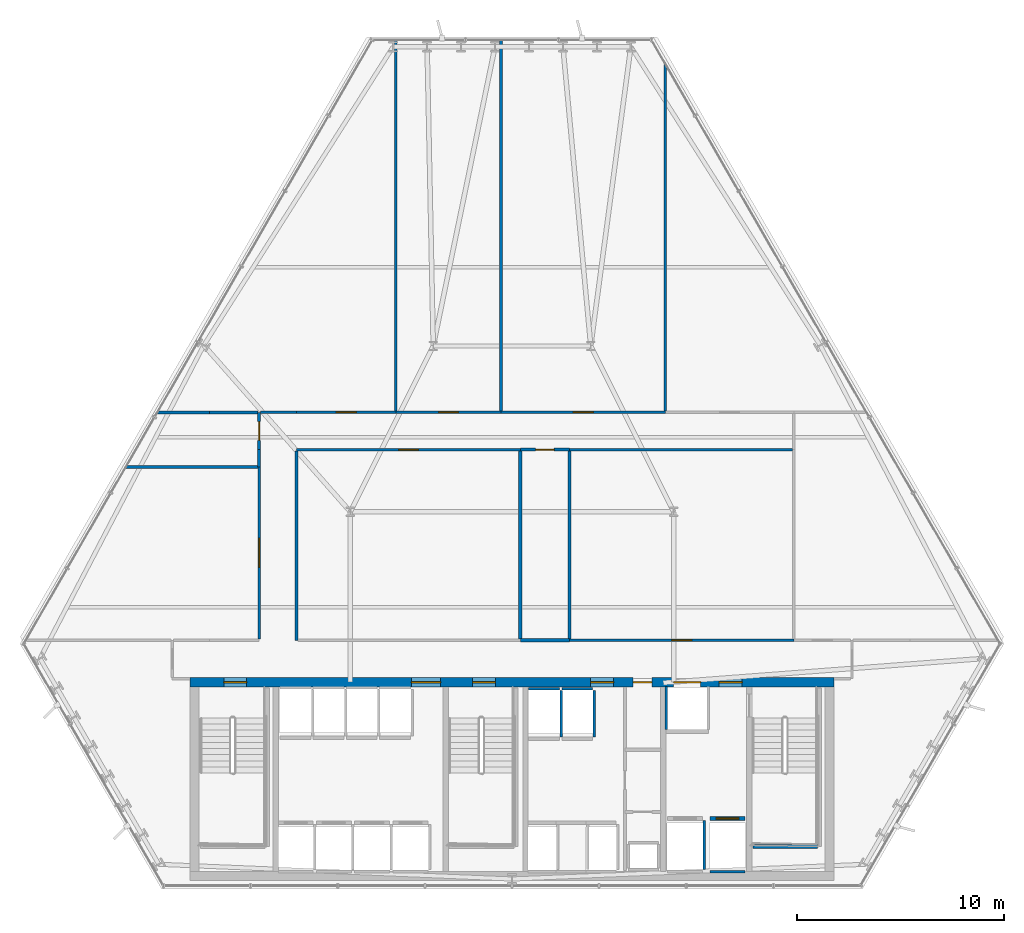
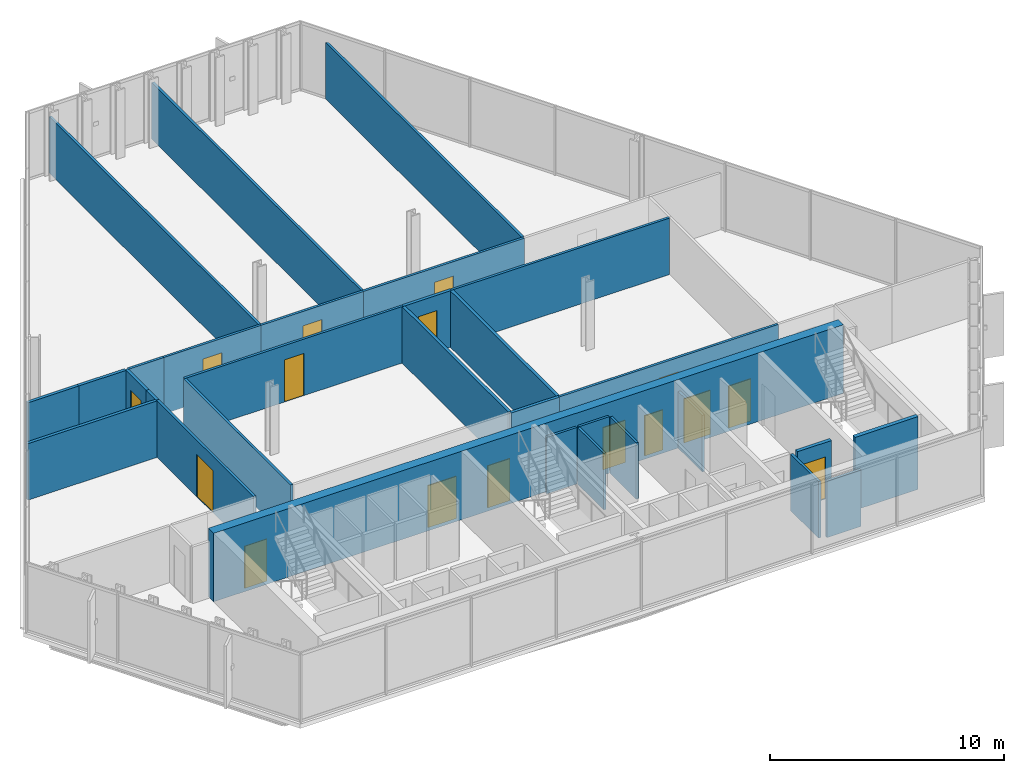
# One storey, part 26 of 31: 31 walls, 16 doors, 16 openings.
"""IFC4 building model written with IfcOpenShell, lengths in metres."""

from ifc_helpers import new_model, si_unit, direction, frame, frame_2d, origin, place, context, subcontext, project, spatial, rectangle, extrude, material, layer, layer_set, type_object, element, fill, save


model = new_model("IFC4")

# Units and contexts
model_context = context("Model", 3, precision=1e-05, world=origin(), true_north=direction((0.0, 1.0)))
body_context = subcontext(model_context, "Body", "Model", "MODEL_VIEW")
ifc_project = project(units=[si_unit("LENGTHUNIT", "METRE"), si_unit("AREAUNIT", "SQUARE_METRE"), si_unit("VOLUMEUNIT", "CUBIC_METRE"), si_unit("PLANEANGLEUNIT", "RADIAN"), si_unit("MASSUNIT", "GRAM", prefix="KILO")], contexts=[model_context])

# Site, building, storey
site_placement = place(None, origin())
site = spatial("IfcSite", under=ifc_project, at=site_placement, CompositionType="ELEMENT")
building_placement = place(site_placement, origin())
building = spatial("IfcBuilding", under=site, at=building_placement, Name="Ndaravel Arena Tower", CompositionType="ELEMENT")
storey_placement = place(building_placement, frame((0.0, 0.0, 100.60009765625)))
storey = spatial("IfcBuildingStorey", under=building, at=storey_placement, Name="L23", CompositionType="ELEMENT", Elevation=100.60009765625)

# Wall, openings, doors
ifc_material_1 = material(Name="Concrete C60/75", Category="concrete")
ifc_layer_1 = layer(ifc_material_1, 0.449951171875)
ifc_layer_set_1 = layer_set([ifc_layer_1], Name="Concrete C60/75")
wall_type_1 = type_object("IfcWallType", Name="WALL-CORE-450", PredefinedType="SOLIDWALL", material=ifc_layer_set_1)
wall_1_placement = place(storey_placement, frame((26.449951171875, 14.97509765625, 0.0), z_axis=(0.0, 0.0, 1.0), x_axis=(1.0, 0.0, 0.0)))
wall_1 = element("IfcWall", 1, at=wall_1_placement, inside=storey, type_object=wall_type_1, Name="L23 Core North Shear Wall", PredefinedType="SOLIDWALL", context=body_context, shape_type="SweptSolid", body=[
    extrude(rectangle(XDim=31.10009765625, YDim=0.449951171875, at=frame_2d((15.550048828125, 0.0))), origin(), (0.0, 0.0, 1.0), 3.579833984375),
])
opening_1_placement = place(wall_1_placement, frame((1.64990234375, 0.0, 0.0)))
opening_1 = element("IfcOpeningElement", 2, at=opening_1_placement, cuts=wall_1, Name="Opening FD-01", PredefinedType="OPENING", context=body_context, shape_type="SweptSolid", body=[
    extrude(rectangle(XDim=1.10009765625, YDim=2.199951171875, at=frame_2d((0.550048828125, 1.10009765625))), frame((0.0, 0.22509765625, 0.0), z_axis=(0.0, -1.0, 0.0), x_axis=(1.0, 0.0, 0.0)), (0.0, 0.0, 1.0), 0.449951171875),
])
opening_2_placement = place(wall_1_placement, frame((13.64990234375, 0.0, 0.0)))
opening_2 = element("IfcOpeningElement", 3, at=opening_2_placement, cuts=wall_1, Name="Opening FD-01", PredefinedType="OPENING", context=body_context, shape_type="SweptSolid", body=[
    extrude(rectangle(XDim=1.10009765625, YDim=2.199951171875, at=frame_2d((0.550048828125, 1.10009765625))), frame((0.0, 0.22509765625, 0.0), z_axis=(0.0, -1.0, 0.0), x_axis=(1.0, 0.0, 0.0)), (0.0, 0.0, 1.0), 0.449951171875),
])
opening_3_placement = place(wall_1_placement, frame((25.550048828125, 0.0, 0.0)))
opening_3 = element("IfcOpeningElement", 4, at=opening_3_placement, cuts=wall_1, Name="Opening FD-01", PredefinedType="OPENING", context=body_context, shape_type="SweptSolid", body=[
    extrude(rectangle(XDim=1.10009765625, YDim=2.199951171875, at=frame_2d((0.550048828125, 1.10009765625))), frame((0.0, 0.22509765625, 0.0), z_axis=(0.0, -1.0, 0.0), x_axis=(1.0, 0.0, 0.0)), (0.0, 0.0, 1.0), 0.449951171875),
])
opening_4_placement = place(wall_1_placement, frame((10.699951171875, 0.0, 0.0)))
opening_4 = element("IfcOpeningElement", 5, at=opening_4_placement, cuts=wall_1, Name="Opening ID-02", PredefinedType="OPENING", context=body_context, shape_type="SweptSolid", body=[
    extrude(rectangle(XDim=1.39990234375, YDim=2.199951171875, at=frame_2d((0.699951171875, 1.10009765625))), frame((0.0, 0.22509765625, 0.0), z_axis=(0.0, -1.0, 0.0), x_axis=(1.0, 0.0, 0.0)), (0.0, 0.0, 1.0), 0.449951171875),
])
opening_5_placement = place(wall_1_placement, frame((19.35009765625, 0.0, 0.0)))
opening_5 = element("IfcOpeningElement", 6, at=opening_5_placement, cuts=wall_1, Name="Opening FD-01", PredefinedType="OPENING", context=body_context, shape_type="SweptSolid", body=[
    extrude(rectangle(XDim=1.10009765625, YDim=2.199951171875, at=frame_2d((0.550048828125, 1.10009765625))), frame((0.0, 0.22509765625, 0.0), z_axis=(0.0, -1.0, 0.0), x_axis=(1.0, 0.0, 0.0)), (0.0, 0.0, 1.0), 0.449951171875),
])
opening_6_placement = place(wall_1_placement, frame((21.39990234375, 0.0, 0.0)))
opening_6 = element("IfcOpeningElement", 7, at=opening_6_placement, cuts=wall_1, Name="Opening RD-01", PredefinedType="OPENING", context=body_context, shape_type="SweptSolid", body=[
    extrude(rectangle(XDim=0.89990234375, YDim=2.10009765625, at=frame_2d((0.449951171875, 1.050048828125))), frame((0.0, 0.22509765625, 0.0), z_axis=(0.0, -1.0, 0.0), x_axis=(1.0, 0.0, 0.0)), (0.0, 0.0, 1.0), 0.449951171875),
])
opening_7_placement = place(wall_1_placement, frame((23.35009765625, 0.0, 0.0)))
opening_7 = element("IfcOpeningElement", 8, at=opening_7_placement, cuts=wall_1, Name="Opening LD-02", PredefinedType="OPENING", context=body_context, shape_type="SweptSolid", body=[
    extrude(rectangle(XDim=1.300048828125, YDim=2.300048828125, at=frame_2d((0.64990234375, 1.14990234375))), frame((0.0, 0.22509765625, 0.0), z_axis=(0.0, -1.0, 0.0), x_axis=(1.0, 0.0, 0.0)), (0.0, 0.0, 1.0), 0.449951171875),
])
ifc_material_2 = material(Name="Steel S355", Category="steel")
door_type_1 = type_object("IfcDoorType", Name="DT-01-STAIR-1100", OperationType="SINGLE_SWING_LEFT", PredefinedType="DOOR", material=ifc_material_2)
door_1_placement = place(opening_1_placement, origin())
door_1 = element("IfcDoor", 9, at=door_1_placement, inside=storey, type_object=door_type_1, Name="L23 Exit Stair ST-1 Door", OperationType="SINGLE_SWING_RIGHT", OverallHeight=2.199951171875, OverallWidth=1.10009765625, PredefinedType="DOOR", context=body_context, shape_type="SweptSolid", body=[
    extrude(rectangle(XDim=1.10009765625, YDim=2.199951171875, at=frame_2d((0.550048828125, 1.10009765625))), frame((0.0, 0.02490234375, 0.0), z_axis=(0.0, -1.0, 0.0), x_axis=(1.0, 0.0, 0.0)), (0.0, 0.0, 1.0), 0.050048828125),
])
fill(opening_1, door_1)
door_2_placement = place(opening_2_placement, origin())
door_2 = element("IfcDoor", 10, at=door_2_placement, inside=storey, type_object=door_type_1, Name="L23 Exit Stair ST-2 Door", OperationType="SINGLE_SWING_LEFT", OverallHeight=2.199951171875, OverallWidth=1.10009765625, PredefinedType="DOOR", context=body_context, shape_type="SweptSolid", body=[
    extrude(rectangle(XDim=1.10009765625, YDim=2.199951171875, at=frame_2d((0.550048828125, 1.10009765625))), frame((0.0, 0.02490234375, 0.0), z_axis=(0.0, -1.0, 0.0), x_axis=(1.0, 0.0, 0.0)), (0.0, 0.0, 1.0), 0.050048828125),
])
fill(opening_2, door_2)
door_3_placement = place(opening_3_placement, origin())
door_3 = element("IfcDoor", 11, at=door_3_placement, inside=storey, type_object=door_type_1, Name="L23 Firefighting Lift Lobby Door", OperationType="SINGLE_SWING_RIGHT", OverallHeight=2.199951171875, OverallWidth=1.10009765625, PredefinedType="DOOR", context=body_context, shape_type="SweptSolid", body=[
    extrude(rectangle(XDim=1.10009765625, YDim=2.199951171875, at=frame_2d((0.550048828125, 1.10009765625))), frame((0.0, 0.02490234375, 0.0), z_axis=(0.0, -1.0, 0.0), x_axis=(1.0, 0.0, 0.0)), (0.0, 0.0, 1.0), 0.050048828125),
])
fill(opening_3, door_3)
door_4_placement = place(opening_5_placement, origin())
door_4 = element("IfcDoor", 12, at=door_4_placement, inside=storey, type_object=door_type_1, Name="L23 Express Lift Lobby Entry Door", OperationType="SINGLE_SWING_LEFT", OverallHeight=2.199951171875, OverallWidth=1.10009765625, PredefinedType="DOOR", context=body_context, shape_type="SweptSolid", body=[
    extrude(rectangle(XDim=1.10009765625, YDim=2.199951171875, at=frame_2d((0.550048828125, 1.10009765625))), frame((0.0, 0.02490234375, 0.0), z_axis=(0.0, -1.0, 0.0), x_axis=(1.0, 0.0, 0.0)), (0.0, 0.0, 1.0), 0.050048828125),
])
fill(opening_5, door_4)
ifc_material_3 = material(Name="Timber", Category="wood")
door_type_2 = type_object("IfcDoorType", Name="DT-04-SUITE-1400", OperationType="DOUBLE_DOOR_SINGLE_SWING", PredefinedType="DOOR", material=ifc_material_3)
door_5_placement = place(opening_4_placement, origin())
door_5 = element("IfcDoor", 13, at=door_5_placement, inside=storey, type_object=door_type_2, Name="L23 West Lift Lobby Entry Door", OperationType="DOUBLE_DOOR_SINGLE_SWING", OverallHeight=2.199951171875, OverallWidth=1.39990234375, PredefinedType="DOOR", context=body_context, shape_type="SweptSolid", body=[
    extrude(rectangle(XDim=1.39990234375, YDim=2.199951171875, at=frame_2d((0.699951171875, 1.10009765625))), frame((0.0, 0.02490234375, 0.0), z_axis=(0.0, -1.0, 0.0), x_axis=(1.0, 0.0, 0.0)), (0.0, 0.0, 1.0), 0.050048828125),
])
fill(opening_4, door_5)
ifc_material_4 = material(Name="Steel S355", Category="steel")
door_type_3 = type_object("IfcDoorType", Name="DT-07-SVLIFT-1300", OperationType="DOUBLE_DOOR_SLIDING", PredefinedType="DOOR", material=ifc_material_4)
door_6_placement = place(opening_7_placement, origin())
door_6 = element("IfcDoor", 14, at=door_6_placement, inside=storey, type_object=door_type_3, Name="L23 Lift SVL-1 Sliding Landing Door", OperationType="DOUBLE_DOOR_SLIDING", OverallHeight=2.300048828125, OverallWidth=1.300048828125, PredefinedType="DOOR", context=body_context, shape_type="SweptSolid", body=[
    extrude(rectangle(XDim=1.300048828125, YDim=2.300048828125, at=frame_2d((0.64990234375, 1.14990234375))), frame((0.0, 0.02490234375, 0.0), z_axis=(0.0, -1.0, 0.0), x_axis=(1.0, 0.0, 0.0)), (0.0, 0.0, 1.0), 0.050048828125),
])
fill(opening_7, door_6)
ifc_material_5 = material(Name="Steel S355", Category="steel")
door_type_4 = type_object("IfcDoorType", Name="DT-08-RISER-900", OperationType="SINGLE_SWING_LEFT", PredefinedType="DOOR", material=ifc_material_5)
door_7_placement = place(opening_6_placement, origin())
door_7 = element("IfcDoor", 15, at=door_7_placement, inside=storey, type_object=door_type_4, Name="L23 Core Service Riser North Door", OperationType="SINGLE_SWING_LEFT", OverallHeight=2.10009765625, OverallWidth=0.89990234375, PredefinedType="DOOR", context=body_context, shape_type="SweptSolid", body=[
    extrude(rectangle(XDim=0.89990234375, YDim=2.10009765625, at=frame_2d((0.449951171875, 1.050048828125))), frame((0.0, 0.02490234375, 0.0), z_axis=(0.0, -1.0, 0.0), x_axis=(1.0, 0.0, 0.0)), (0.0, 0.0, 1.0), 0.050048828125),
])
fill(opening_6, door_7)

# Wall, opening, door
ifc_material_6 = material(Name="Gypsum", Category="gypsum")
ifc_layer_2 = layer(ifc_material_6, 0.125)
ifc_layer_set_2 = layer_set([ifc_layer_2], Name="Gypsum")
wall_type_2 = type_object("IfcWallType", Name="WALL-PART-125", PredefinedType="PARTITIONING", material=ifc_layer_set_2)
wall_2_placement = place(storey_placement, frame((29.800048828125, 17.06494140625, 0.0), z_axis=(0.0, 0.0, 1.0), x_axis=(0.0, 1.0, 0.0)))
wall_2 = element("IfcWall", 16, at=wall_2_placement, inside=storey, type_object=wall_type_2, Name="L23 Interior Partition 007", PredefinedType="PARTITIONING", context=body_context, shape_type="SweptSolid", body=[
    extrude(rectangle(XDim=8.295166015625, YDim=0.125, at=frame_2d((4.1474609375, 0.0))), origin(), (0.0, 0.0, 1.0), 2.949951171875),
])
opening_8_placement = place(wall_2_placement, frame((3.447509765625, 0.0, 0.0)))
opening_8 = element("IfcOpeningElement", 17, at=opening_8_placement, cuts=wall_2, Name="Opening ID-02", PredefinedType="OPENING", context=body_context, shape_type="SweptSolid", body=[
    extrude(rectangle(XDim=1.39990234375, YDim=2.199951171875, at=frame_2d((0.699951171875, 1.10009765625))), frame((0.0, 0.0625, 0.0), z_axis=(0.0, -1.0, 0.0), x_axis=(1.0, 0.0, 0.0)), (0.0, 0.0, 1.0), 0.125),
])
door_8_placement = place(opening_8_placement, origin())
door_8 = element("IfcDoor", 18, at=door_8_placement, inside=storey, type_object=door_type_2, Name="L23 Executive Boardroom Door", OperationType="SINGLE_SWING_RIGHT", OverallHeight=2.199951171875, OverallWidth=1.39990234375, PredefinedType="DOOR", context=body_context, shape_type="SweptSolid", body=[
    extrude(rectangle(XDim=1.39990234375, YDim=2.199951171875, at=frame_2d((0.699951171875, 1.10009765625))), frame((0.0, 0.02490234375, 0.0), z_axis=(0.0, -1.0, 0.0), x_axis=(1.0, 0.0, 0.0)), (0.0, 0.0, 1.0), 0.050048828125),
])
fill(opening_8, door_8)

# Wall
wall_3_placement = place(storey_placement, frame((29.864990234375, 28.0, 0.0), z_axis=(0.0, 0.0, 1.0), x_axis=(1.0, 0.0, 0.0)))
element("IfcWall", 19, at=wall_3_placement, inside=storey, type_object=wall_type_2, Name="L23 Interior Partition 010", PredefinedType="PARTITIONING", context=body_context, shape_type="SweptSolid", body=[
    extrude(rectangle(XDim=1.735107421875, YDim=0.125, at=frame_2d((0.86767578125, 0.0))), origin(), (0.0, 0.0, 1.0), 2.949951171875),
])

# Wall, opening, door
wall_4_placement = place(storey_placement, frame((31.60009765625, 28.0, 0.0), z_axis=(0.0, 0.0, 1.0), x_axis=(1.0, 0.0, 0.0)))
wall_4 = element("IfcWall", 20, at=wall_4_placement, inside=storey, type_object=wall_type_2, Name="L23 Interior Partition 011", PredefinedType="PARTITIONING", context=body_context, shape_type="SweptSolid", body=[
    extrude(rectangle(XDim=4.7998046875, YDim=0.125, at=frame_2d((2.39990234375, 0.0))), origin(), (0.0, 0.0, 1.0), 2.949951171875),
])
opening_9_placement = place(wall_4_placement, frame((1.925048828125, 0.0, 0.0)))
opening_9 = element("IfcOpeningElement", 21, at=opening_9_placement, cuts=wall_4, Name="Opening ID-01", PredefinedType="OPENING", context=body_context, shape_type="SweptSolid", body=[
    extrude(rectangle(XDim=0.949951171875, YDim=2.199951171875, at=frame_2d((0.47509765625, 1.10009765625))), frame((0.0, 0.0625, 0.0), z_axis=(0.0, -1.0, 0.0), x_axis=(1.0, 0.0, 0.0)), (0.0, 0.0, 1.0), 0.125),
])
ifc_material_7 = material(Name="Timber", Category="wood")
door_type_5 = type_object("IfcDoorType", Name="DT-03-OFFICE-950", OperationType="SINGLE_SWING_LEFT", PredefinedType="DOOR", material=ifc_material_7)
door_9_placement = place(opening_9_placement, origin())
door_9 = element("IfcDoor", 22, at=door_9_placement, inside=storey, type_object=door_type_5, Name="L23 Innovation Showroom 3 Door", OperationType="SINGLE_SWING_LEFT", OverallHeight=2.199951171875, OverallWidth=0.949951171875, PredefinedType="DOOR", context=body_context, shape_type="SweptSolid", body=[
    extrude(rectangle(XDim=0.949951171875, YDim=2.199951171875, at=frame_2d((0.47509765625, 1.10009765625))), frame((0.0, 0.02490234375, 0.0), z_axis=(0.0, -1.0, 0.0), x_axis=(1.0, 0.0, 0.0)), (0.0, 0.0, 1.0), 0.050048828125),
])
fill(opening_9, door_9)

wall_5_placement = place(storey_placement, frame((36.39990234375, 28.0, 0.0), z_axis=(0.0, 0.0, 1.0), x_axis=(1.0, 0.0, 0.0)))
wall_5 = element("IfcWall", 23, at=wall_5_placement, inside=storey, type_object=wall_type_2, Name="L23 Interior Partition 012", PredefinedType="PARTITIONING", context=body_context, shape_type="SweptSolid", body=[
    extrude(rectangle(XDim=5.070068359375, YDim=0.125, at=frame_2d((2.53515625, 0.0))), origin(), (0.0, 0.0, 1.0), 2.949951171875),
])
opening_10_placement = place(wall_5_placement, frame((2.06005859375, 0.0, 0.0)))
opening_10 = element("IfcOpeningElement", 24, at=opening_10_placement, cuts=wall_5, Name="Opening ID-01", PredefinedType="OPENING", context=body_context, shape_type="SweptSolid", body=[
    extrude(rectangle(XDim=0.949951171875, YDim=2.199951171875, at=frame_2d((0.47509765625, 1.10009765625))), frame((0.0, 0.0625, 0.0), z_axis=(0.0, -1.0, 0.0), x_axis=(1.0, 0.0, 0.0)), (0.0, 0.0, 1.0), 0.125),
])
door_10_placement = place(opening_10_placement, origin())
door_10 = element("IfcDoor", 25, at=door_10_placement, inside=storey, type_object=door_type_5, Name="L23 Publication Shop 4 Door", OperationType="SINGLE_SWING_LEFT", OverallHeight=2.199951171875, OverallWidth=0.949951171875, PredefinedType="DOOR", context=body_context, shape_type="SweptSolid", body=[
    extrude(rectangle(XDim=0.949951171875, YDim=2.199951171875, at=frame_2d((0.47509765625, 1.10009765625))), frame((0.0, 0.02490234375, 0.0), z_axis=(0.0, -1.0, 0.0), x_axis=(1.0, 0.0, 0.0)), (0.0, 0.0, 1.0), 0.050048828125),
])
fill(opening_10, door_10)

wall_6_placement = place(storey_placement, frame((41.469970703125, 28.0, 0.0), z_axis=(0.0, 0.0, 1.0), x_axis=(1.0, 0.0, 0.0)))
wall_6 = element("IfcWall", 26, at=wall_6_placement, inside=storey, type_object=wall_type_2, Name="L23 Interior Partition 013", PredefinedType="PARTITIONING", context=body_context, shape_type="SweptSolid", body=[
    extrude(rectangle(XDim=7.929931640625, YDim=0.125, at=frame_2d((3.96484375, 0.0))), origin(), (0.0, 0.0, 1.0), 2.949951171875),
])
opening_11_placement = place(wall_6_placement, frame((3.489990234375, 0.0, 0.0)))
opening_11 = element("IfcOpeningElement", 27, at=opening_11_placement, cuts=wall_6, Name="Opening ID-01", PredefinedType="OPENING", context=body_context, shape_type="SweptSolid", body=[
    extrude(rectangle(XDim=0.949951171875, YDim=2.199951171875, at=frame_2d((0.47509765625, 1.10009765625))), frame((0.0, 0.0625, 0.0), z_axis=(0.0, -1.0, 0.0), x_axis=(1.0, 0.0, 0.0)), (0.0, 0.0, 1.0), 0.125),
])
door_11_placement = place(opening_11_placement, origin())
door_11 = element("IfcDoor", 28, at=door_11_placement, inside=storey, type_object=door_type_5, Name="L23 Executive Corner Office 4 Door", OperationType="SINGLE_SWING_RIGHT", OverallHeight=2.199951171875, OverallWidth=0.949951171875, PredefinedType="DOOR", context=body_context, shape_type="SweptSolid", body=[
    extrude(rectangle(XDim=0.949951171875, YDim=2.199951171875, at=frame_2d((0.47509765625, 1.10009765625))), frame((0.0, 0.02490234375, 0.0), z_axis=(0.0, -1.0, 0.0), x_axis=(1.0, 0.0, 0.0)), (0.0, 0.0, 1.0), 0.050048828125),
])
fill(opening_11, door_11)

# Wall
wall_7_placement = place(storey_placement, frame((55.534912109375, 26.199951171875, 0.0), z_axis=(0.0, 0.0, 1.0), x_axis=(-1.0, 0.0, 0.0)))
element("IfcWall", 29, at=wall_7_placement, inside=storey, type_object=wall_type_2, Name="L23 Interior Partition 016", PredefinedType="PARTITIONING", context=body_context, shape_type="SweptSolid", body=[
    extrude(rectangle(XDim=10.759033203125, YDim=0.125, at=frame_2d((5.37939453125, 0.0))), origin(), (0.0, 0.0, 1.0), 2.949951171875),
])

# Wall, opening, door
wall_8_placement = place(storey_placement, frame((42.39990234375, 26.199951171875, 0.0), z_axis=(0.0, 0.0, 1.0), x_axis=(-1.0, 0.0, 0.0)))
wall_8 = element("IfcWall", 30, at=wall_8_placement, inside=storey, type_object=wall_type_2, Name="L23 Interior Partition 018", PredefinedType="PARTITIONING", context=body_context, shape_type="SweptSolid", body=[
    extrude(rectangle(XDim=10.7998046875, YDim=0.125, at=frame_2d((5.39990234375, 0.0))), origin(), (0.0, 0.0, 1.0), 2.949951171875),
])
opening_12_placement = place(wall_8_placement, frame((4.925048828125, 0.0, 0.0)))
opening_12 = element("IfcOpeningElement", 31, at=opening_12_placement, cuts=wall_8, Name="Opening ID-01", PredefinedType="OPENING", context=body_context, shape_type="SweptSolid", body=[
    extrude(rectangle(XDim=0.949951171875, YDim=2.199951171875, at=frame_2d((0.47509765625, 1.10009765625))), frame((0.0, 0.0625, 0.0), z_axis=(0.0, -1.0, 0.0), x_axis=(1.0, 0.0, 0.0)), (0.0, 0.0, 1.0), 0.125),
])
door_12_placement = place(opening_12_placement, origin())
door_12 = element("IfcDoor", 32, at=door_12_placement, inside=storey, type_object=door_type_5, Name="L23 Quiet Reading Library Door", OperationType="SINGLE_SWING_LEFT", OverallHeight=2.199951171875, OverallWidth=0.949951171875, PredefinedType="DOOR", context=body_context, shape_type="SweptSolid", body=[
    extrude(rectangle(XDim=0.949951171875, YDim=2.199951171875, at=frame_2d((0.47509765625, 1.10009765625))), frame((0.0, 0.02490234375, 0.0), z_axis=(0.0, -1.0, 0.0), x_axis=(1.0, 0.0, 0.0)), (0.0, 0.0, 1.0), 0.050048828125),
])
fill(opening_12, door_12)

# Wall
wall_9_placement = place(storey_placement, frame((31.60009765625, 26.135009765625, 0.0), z_axis=(0.0, 0.0, 1.0), x_axis=(0.0, -1.0, 0.0)))
element("IfcWall", 33, at=wall_9_placement, inside=storey, type_object=wall_type_2, Name="L23 Interior Partition 019", PredefinedType="PARTITIONING", context=body_context, shape_type="SweptSolid", body=[
    extrude(rectangle(XDim=9.135009765625, YDim=0.125, at=frame_2d((4.5673828125, 0.0))), origin(), (0.0, 0.0, 1.0), 2.949951171875),
])

# Wall, opening, door
wall_10_placement = place(storey_placement, frame((44.77587890625, 17.0, 0.0), z_axis=(0.0, 0.0, 1.0), x_axis=(1.0, 0.0, 0.0)))
wall_10 = element("IfcWall", 34, at=wall_10_placement, inside=storey, type_object=wall_type_2, Name="L23 Interior Partition 022", PredefinedType="PARTITIONING", context=body_context, shape_type="SweptSolid", body=[
    extrude(rectangle(XDim=10.82421875, YDim=0.125, at=frame_2d((5.412109375, 0.0))), origin(), (0.0, 0.0, 1.0), 2.949951171875),
])
opening_13_placement = place(wall_10_placement, frame((4.93701171875, 0.0, 0.0)))
opening_13 = element("IfcOpeningElement", 35, at=opening_13_placement, cuts=wall_10, Name="Opening ID-01", PredefinedType="OPENING", context=body_context, shape_type="SweptSolid", body=[
    extrude(rectangle(XDim=0.949951171875, YDim=2.199951171875, at=frame_2d((0.47509765625, 1.10009765625))), frame((0.0, 0.0625, 0.0), z_axis=(0.0, -1.0, 0.0), x_axis=(1.0, 0.0, 0.0)), (0.0, 0.0, 1.0), 0.125),
])
door_13_placement = place(opening_13_placement, origin())
door_13 = element("IfcDoor", 36, at=door_13_placement, inside=storey, type_object=door_type_5, Name="L23 Cellular Partner Office 2 Door", OperationType="SINGLE_SWING_LEFT", OverallHeight=2.199951171875, OverallWidth=0.949951171875, PredefinedType="DOOR", context=body_context, shape_type="SweptSolid", body=[
    extrude(rectangle(XDim=0.949951171875, YDim=2.199951171875, at=frame_2d((0.47509765625, 1.10009765625))), frame((0.0, 0.02490234375, 0.0), z_axis=(0.0, -1.0, 0.0), x_axis=(1.0, 0.0, 0.0)), (0.0, 0.0, 1.0), 0.050048828125),
])
fill(opening_13, door_13)

# Walls
wall_11_placement = place(storey_placement, frame((49.39990234375, 28.06494140625, 0.0), z_axis=(0.0, 0.0, 1.0), x_axis=(0.0, 1.0, 0.0)))
element("IfcWall", 37, at=wall_11_placement, inside=storey, type_object=wall_type_2, Name="L23 Interior Partition 034", PredefinedType="PARTITIONING", context=body_context, shape_type="SweptSolid", body=[
    extrude(rectangle(XDim=16.75341796875, YDim=0.125, at=frame_2d((8.376708984375, 0.0))), origin(), (0.0, 0.0, 1.0), 2.949951171875),
])
for number, where, z_axis, x_axis, name in (
    (38, (36.39990234375, 45.962646484375, 0.0), (0.0, 0.0, 1.0), (0.0, -1.0, 0.0), "L23 Interior Partition 035"),
    (39, (41.469970703125, 28.06494140625, 0.0), (0.0, 0.0, 1.0), (0.0, 1.0, 0.0), "L23 Interior Partition 036"),
):
    element("IfcWall", number, at=place(storey_placement, frame(where, z_axis=z_axis, x_axis=x_axis)), inside=storey, type_object=wall_type_2, Name=name, PredefinedType="PARTITIONING", context=body_context, shape_type="SweptSolid", body=[
        extrude(rectangle(XDim=17.897705078125, YDim=0.125, at=frame_2d((8.94873046875, 0.0))), origin(), (0.0, 0.0, 1.0), 2.949951171875),
    ])
ifc_material_8 = material(Name="Concrete C40/50", Category="concrete")
ifc_layer_3 = layer(ifc_material_8, 0.1201171875)
ifc_layer_set_3 = layer_set([ifc_layer_3], Name="Concrete C40/50")
wall_type_3 = type_object("IfcWallType", Name="WALL-SHAFT-120", PredefinedType="SOLIDWALL", material=ifc_layer_set_3)
wall_12_placement = place(storey_placement, frame((42.804931640625, 14.659912109375, 0.0), z_axis=(0.0, 0.0, 1.0), x_axis=(1.0, 0.0, 0.0)))
element("IfcWall", 40, at=wall_12_placement, inside=storey, type_object=wall_type_3, Name="L23 PL-OBS1 Shaft Rear Wall", PredefinedType="SOLIDWALL", context=body_context, shape_type="SweptSolid", body=[
    extrude(rectangle(XDim=1.489990234375, YDim=0.1201171875, at=frame_2d((0.7451171875, 0.0))), origin(), (0.0, 0.0, 1.0), 2.949951171875),
])
wall_13_placement = place(storey_placement, frame((44.375, 12.340087890625, 0.0), z_axis=(0.0, 0.0, 1.0), x_axis=(0.0, 1.0, 0.0)))
element("IfcWall", 41, at=wall_13_placement, inside=storey, type_object=wall_type_3, Name="L23 PL-OBS1 Shaft Side R Wall", PredefinedType="SOLIDWALL", context=body_context, shape_type="SweptSolid", body=[
    extrude(rectangle(XDim=2.22998046875, YDim=0.1201171875, at=frame_2d((1.114990234375, 0.0))), origin(), (0.0, 0.0, 1.0), 2.949951171875),
])
wall_14_placement = place(storey_placement, frame((44.405029296875, 14.659912109375, 0.0), z_axis=(0.0, 0.0, 1.0), x_axis=(1.0, 0.0, 0.0)))
element("IfcWall", 42, at=wall_14_placement, inside=storey, type_object=wall_type_3, Name="L23 PL-OBS2 Shaft Rear Wall", PredefinedType="SOLIDWALL", context=body_context, shape_type="SweptSolid", body=[
    extrude(rectangle(XDim=1.489990234375, YDim=0.1201171875, at=frame_2d((0.7451171875, 0.0))), origin(), (0.0, 0.0, 1.0), 2.949951171875),
])
wall_15_placement = place(storey_placement, frame((45.97509765625, 12.340087890625, 0.0), z_axis=(0.0, 0.0, 1.0), x_axis=(0.0, 1.0, 0.0)))
element("IfcWall", 43, at=wall_15_placement, inside=storey, type_object=wall_type_3, Name="L23 PL-OBS2 Shaft Side R Wall", PredefinedType="SOLIDWALL", context=body_context, shape_type="SweptSolid", body=[
    extrude(rectangle(XDim=2.22998046875, YDim=0.1201171875, at=frame_2d((1.114990234375, 0.0))), origin(), (0.0, 0.0, 1.0), 2.949951171875),
])
wall_16_placement = place(storey_placement, frame((51.27490234375, 5.929931640625, 0.0), z_axis=(0.0, 0.0, 1.0), x_axis=(0.0, 1.0, 0.0)))
element("IfcWall", 44, at=wall_16_placement, inside=storey, type_object=wall_type_3, Name="L23 FFL-1 Shaft Side R Wall", PredefinedType="SOLIDWALL", context=body_context, shape_type="SweptSolid", body=[
    extrude(rectangle(XDim=2.380126953125, YDim=0.1201171875, at=frame_2d((1.18994140625, 0.0))), origin(), (0.0, 0.0, 1.0), 2.949951171875),
])
wall_17_placement = place(storey_placement, frame((51.554931640625, 5.840087890625, 0.0), z_axis=(0.0, 0.0, 1.0), x_axis=(1.0, 0.0, 0.0)))
element("IfcWall", 45, at=wall_17_placement, inside=storey, type_object=wall_type_3, Name="L23 FFL-2 Shaft Rear Wall", PredefinedType="SOLIDWALL", context=body_context, shape_type="SweptSolid", body=[
    extrude(rectangle(XDim=1.690185546875, YDim=0.1201171875, at=frame_2d((0.84521484375, 0.0))), origin(), (0.0, 0.0, 1.0), 2.949951171875),
])
wall_18_placement = place(storey_placement, frame((49.43994140625, 12.68994140625, 0.0), z_axis=(0.0, 0.0, 1.0), x_axis=(0.0, 1.0, 0.0)))
element("IfcWall", 46, at=wall_18_placement, inside=storey, type_object=wall_type_3, Name="L23 SVL-1 Shaft W Wall", PredefinedType="SOLIDWALL", context=body_context, shape_type="SweptSolid", body=[
    extrude(rectangle(XDim=2.070068359375, YDim=0.1201171875, at=frame_2d((1.03515625, 0.0))), origin(), (0.0, 0.0, 1.0), 2.949951171875),
])
ifc_material_9 = material(Name="Concrete C40/50", Category="concrete")
ifc_layer_4 = layer(ifc_material_9, 0.199951171875)
ifc_layer_set_4 = layer_set([ifc_layer_4], Name="Concrete C40/50")
wall_type_4 = type_object("IfcWallType", Name="WALL-SHAFT-200", PredefinedType="SOLIDWALL", material=ifc_layer_set_4)
wall_19_placement = place(storey_placement, frame((53.6201171875, 7.050048828125, 0.0), z_axis=(0.0, 0.0, 1.0), x_axis=(1.0, 0.0, 0.0)))
element("IfcWall", 47, at=wall_19_placement, inside=storey, type_object=wall_type_4, Name="L23 ST-3 Structural Shaft Wall Far", PredefinedType="SOLIDWALL", context=body_context, shape_type="SweptSolid", body=[
    extrude(rectangle(XDim=3.114990234375, YDim=0.199951171875, at=frame_2d((1.5576171875, 0.0))), origin(), (0.0, 0.0, 1.0), 3.7998046875),
])

# Wall, opening, door
wall_20_placement = place(storey_placement, frame((51.554931640625, 8.39990234375, 0.0), z_axis=(0.0, 0.0, 1.0), x_axis=(1.0, 0.0, 0.0)))
wall_20 = element("IfcWall", 48, at=wall_20_placement, inside=storey, type_object=wall_type_4, Name="L23 FFL-2 Shaft Landing Wall", PredefinedType="SOLIDWALL", context=body_context, shape_type="SweptSolid", body=[
    extrude(rectangle(XDim=1.690185546875, YDim=0.179931640625, at=frame_2d((0.84521484375, 0.0))), origin(), (0.0, 0.0, 1.0), 2.949951171875),
])
opening_14_placement = place(wall_20_placement, frame((0.294921875, 0.0, 0.0)))
opening_14 = element("IfcOpeningElement", 49, at=opening_14_placement, cuts=wall_20, Name="Opening LD-01", PredefinedType="OPENING", context=body_context, shape_type="SweptSolid", body=[
    extrude(rectangle(XDim=1.10009765625, YDim=2.199951171875, at=frame_2d((0.550048828125, 1.10009765625))), frame((0.0, 0.08984375, 0.0), z_axis=(0.0, -1.0, 0.0), x_axis=(1.0, 0.0, 0.0)), (0.0, 0.0, 1.0), 0.179931640625),
])
ifc_material_10 = material(Name="Steel S355", Category="steel")
door_type_6 = type_object("IfcDoorType", Name="DT-06-LIFT-1100", OperationType="SLIDING_TO_LEFT", PredefinedType="DOOR", material=ifc_material_10)
door_14_placement = place(opening_14_placement, origin())
door_14 = element("IfcDoor", 50, at=door_14_placement, inside=storey, type_object=door_type_6, Name="L23 Lift FFL-2 Sliding Landing Door", OperationType="SLIDING_TO_LEFT", OverallHeight=2.199951171875, OverallWidth=1.10009765625, PredefinedType="DOOR", context=body_context, shape_type="SweptSolid", body=[
    extrude(rectangle(XDim=1.10009765625, YDim=2.199951171875, at=frame_2d((0.550048828125, 1.10009765625))), frame((0.0, 0.02490234375, 0.0), z_axis=(0.0, -1.0, 0.0), x_axis=(1.0, 0.0, 0.0)), (0.0, 0.0, 1.0), 0.050048828125),
])
fill(opening_14, door_14)

# Wall
ifc_material_11 = material(Name="Masonry", Category="masonry")
ifc_layer_5 = layer(ifc_material_11, 0.14990234375)
ifc_layer_set_5 = layer_set([ifc_layer_5], Name="Masonry")
wall_type_5 = type_object("IfcWallType", Name="WALL-WET-150", PredefinedType="PARTITIONING", material=ifc_layer_set_5)
wall_21_placement = place(storey_placement, frame((29.800048828125, 25.360107421875, 0.0), z_axis=(0.0, 0.0, 1.0), x_axis=(0.0, 1.0, 0.0)))
element("IfcWall", 51, at=wall_21_placement, inside=storey, type_object=wall_type_5, Name="L23 Interior Partition 008", PredefinedType="PARTITIONING", context=body_context, shape_type="SweptSolid", body=[
    extrude(rectangle(XDim=0.83984375, YDim=0.14990234375, at=frame_2d((0.419921875, 0.0))), origin(), (0.0, 0.0, 1.0), 2.949951171875),
])

# Wall, opening, door
wall_22_placement = place(storey_placement, frame((29.800048828125, 26.199951171875, 0.0), z_axis=(0.0, 0.0, 1.0), x_axis=(0.0, 1.0, 0.0)))
wall_22 = element("IfcWall", 52, at=wall_22_placement, inside=storey, type_object=wall_type_5, Name="L23 Interior Partition 009", PredefinedType="PARTITIONING", context=body_context, shape_type="SweptSolid", body=[
    extrude(rectangle(XDim=1.800048828125, YDim=0.14990234375, at=frame_2d((0.89990234375, 0.0))), origin(), (0.0, 0.0, 1.0), 2.949951171875),
])
opening_15_placement = place(wall_22_placement, frame((0.449951171875, 0.0, 0.0)))
opening_15 = element("IfcOpeningElement", 53, at=opening_15_placement, cuts=wall_22, Name="Opening WD-01", PredefinedType="OPENING", context=body_context, shape_type="SweptSolid", body=[
    extrude(rectangle(XDim=0.89990234375, YDim=2.14990234375, at=frame_2d((0.449951171875, 1.074951171875))), frame((0.0, 0.074951171875, 0.0), z_axis=(0.0, -1.0, 0.0), x_axis=(1.0, 0.0, 0.0)), (0.0, 0.0, 1.0), 0.14990234375),
])
ifc_material_12 = material(Name="Timber", Category="wood")
door_type_7 = type_object("IfcDoorType", Name="DT-05-WC-900", OperationType="SINGLE_SWING_LEFT", PredefinedType="DOOR", material=ifc_material_12)
door_15_placement = place(opening_15_placement, origin())
door_15 = element("IfcDoor", 54, at=door_15_placement, inside=storey, type_object=door_type_7, Name="L23 Female & Accessible Restroom Door", OperationType="SINGLE_SWING_LEFT", OverallHeight=2.14990234375, OverallWidth=0.89990234375, PredefinedType="DOOR", context=body_context, shape_type="SweptSolid", body=[
    extrude(rectangle(XDim=0.89990234375, YDim=2.14990234375, at=frame_2d((0.449951171875, 1.074951171875))), frame((0.0, 0.02490234375, 0.0), z_axis=(0.0, -1.0, 0.0), x_axis=(1.0, 0.0, 0.0)), (0.0, 0.0, 1.0), 0.050048828125),
])
fill(opening_15, door_15)

wall_23_placement = place(storey_placement, frame((44.77587890625, 26.199951171875, 0.0), z_axis=(0.0, 0.0, 1.0), x_axis=(-1.0, 0.0, 0.0)))
wall_23 = element("IfcWall", 55, at=wall_23_placement, inside=storey, type_object=wall_type_5, Name="L23 Interior Partition 017", PredefinedType="PARTITIONING", context=body_context, shape_type="SweptSolid", body=[
    extrude(rectangle(XDim=2.3759765625, YDim=0.14990234375, at=frame_2d((1.18798828125, 0.0))), origin(), (0.0, 0.0, 1.0), 2.949951171875),
])
opening_16_placement = place(wall_23_placement, frame((0.738037109375, 0.0, 0.0)))
opening_16 = element("IfcOpeningElement", 56, at=opening_16_placement, cuts=wall_23, Name="Opening WD-01", PredefinedType="OPENING", context=body_context, shape_type="SweptSolid", body=[
    extrude(rectangle(XDim=0.89990234375, YDim=2.14990234375, at=frame_2d((0.449951171875, 1.074951171875))), frame((0.0, 0.074951171875, 0.0), z_axis=(0.0, -1.0, 0.0), x_axis=(1.0, 0.0, 0.0)), (0.0, 0.0, 1.0), 0.14990234375),
])
door_16_placement = place(opening_16_placement, origin())
door_16 = element("IfcDoor", 57, at=door_16_placement, inside=storey, type_object=door_type_7, Name="L23 Male Staff & Visitor Restroom Door", OperationType="SINGLE_SWING_RIGHT", OverallHeight=2.14990234375, OverallWidth=0.89990234375, PredefinedType="DOOR", context=body_context, shape_type="SweptSolid", body=[
    extrude(rectangle(XDim=0.89990234375, YDim=2.14990234375, at=frame_2d((0.449951171875, 1.074951171875))), frame((0.0, 0.02490234375, 0.0), z_axis=(0.0, -1.0, 0.0), x_axis=(1.0, 0.0, 0.0)), (0.0, 0.0, 1.0), 0.050048828125),
])
fill(opening_16, door_16)

# Walls
wall_24_placement = place(storey_placement, frame((42.39990234375, 17.0, 0.0), z_axis=(0.0, 0.0, 1.0), x_axis=(1.0, 0.0, 0.0)))
element("IfcWall", 58, at=wall_24_placement, inside=storey, type_object=wall_type_5, Name="L23 Interior Partition 021", PredefinedType="PARTITIONING", context=body_context, shape_type="SweptSolid", body=[
    extrude(rectangle(XDim=2.3759765625, YDim=0.14990234375, at=frame_2d((1.18798828125, 0.0))), origin(), (0.0, 0.0, 1.0), 2.949951171875),
])
wall_25_placement = place(storey_placement, frame((23.36572265625, 25.360107421875, 0.0), z_axis=(0.0, 0.0, 1.0), x_axis=(1.0, 0.0, 0.0)))
element("IfcWall", 59, at=wall_25_placement, inside=storey, type_object=wall_type_5, Name="L23 Interior Partition 027", PredefinedType="PARTITIONING", context=body_context, shape_type="SweptSolid", body=[
    extrude(rectangle(XDim=6.369384765625, YDim=0.14990234375, at=frame_2d((3.1845703125, 0.0))), origin(), (0.0, 0.0, 1.0), 2.949951171875),
])
for number, where, z_axis, x_axis, name in (
    (60, (42.39990234375, 26.135009765625, 0.0), (0.0, 0.0, 1.0), (0.0, -1.0, 0.0), "L23 Interior Partition 028"),
    (61, (44.77587890625, 26.135009765625, 0.0), (0.0, 0.0, 1.0), (0.0, -1.0, 0.0), "L23 Interior Partition 029"),
):
    element("IfcWall", number, at=place(storey_placement, frame(where, z_axis=z_axis, x_axis=x_axis)), inside=storey, type_object=wall_type_5, Name=name, PredefinedType="PARTITIONING", context=body_context, shape_type="SweptSolid", body=[
        extrude(rectangle(XDim=9.070068359375, YDim=0.14990234375, at=frame_2d((4.53515625, 0.0))), origin(), (0.0, 0.0, 1.0), 2.949951171875),
    ])
wall_26_placement = place(storey_placement, frame((24.889892578125, 28.0, 0.0), z_axis=(0.0, 0.0, 1.0), x_axis=(1.0, 0.0, 0.0)))
element("IfcWall", 62, at=wall_26_placement, inside=storey, type_object=wall_type_5, Name="L23 Interior Partition 032", PredefinedType="PARTITIONING", context=body_context, shape_type="SweptSolid", body=[
    extrude(rectangle(XDim=2.510009765625, YDim=0.14990234375, at=frame_2d((1.2548828125, 0.0))), origin(), (0.0, 0.0, 1.0), 2.949951171875),
])
wall_27_placement = place(storey_placement, frame((27.39990234375, 28.0, 0.0), z_axis=(0.0, 0.0, 1.0), x_axis=(1.0, 0.0, 0.0)))
element("IfcWall", 63, at=wall_27_placement, inside=storey, type_object=wall_type_5, Name="L23 Interior Partition 033", PredefinedType="PARTITIONING", context=body_context, shape_type="SweptSolid", body=[
    extrude(rectangle(XDim=2.335205078125, YDim=0.14990234375, at=frame_2d((1.16748046875, 0.0))), origin(), (0.0, 0.0, 1.0), 2.949951171875),
])

save(model, "model.ifc")
